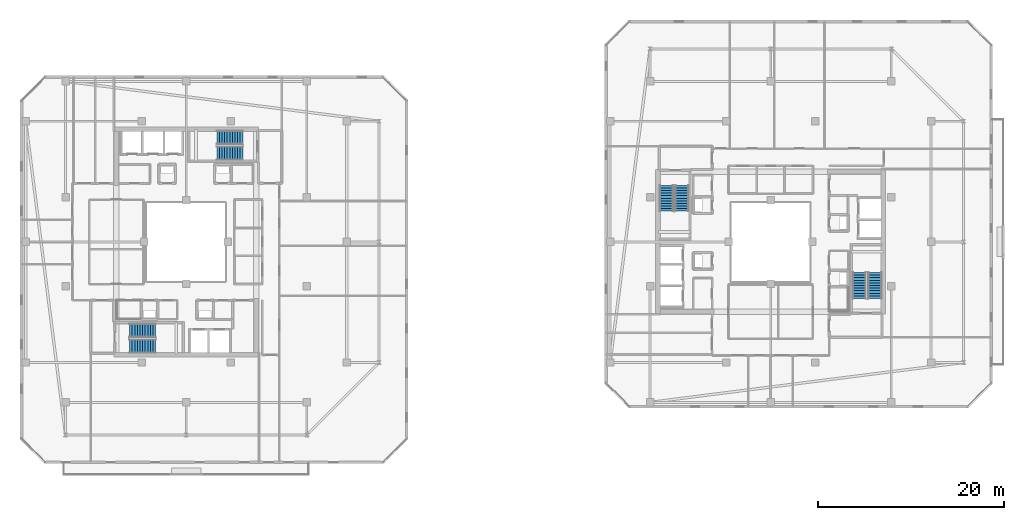
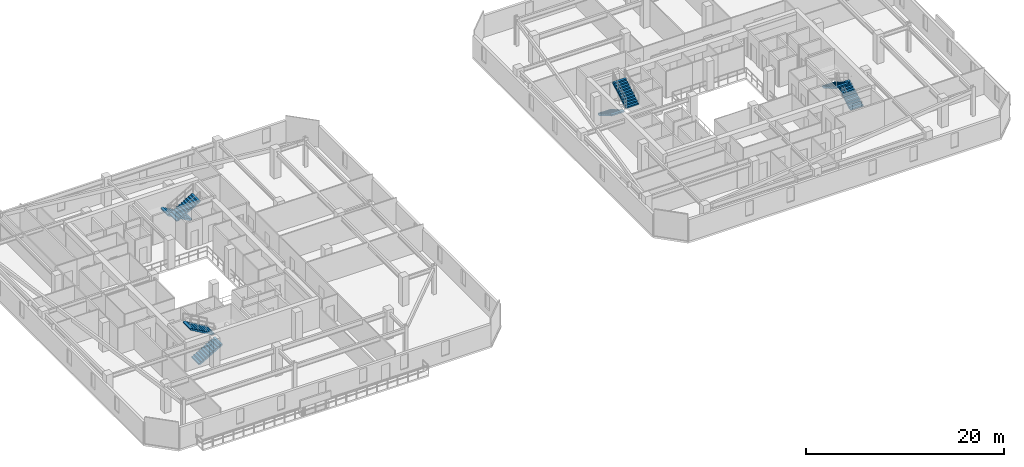
# One storey, part 29 of 35: 8 stair flights, 4 elements without a shape of their own.
"""IFC4 building model written with IfcOpenShell, lengths in metres."""

from ifc_helpers import new_model, si_unit, direction, frame, origin, place, context, subcontext, project, spatial, polyline, outline, extrude, material, type_object, element, aggregate, save


model = new_model("IFC4")

# Units and contexts
model_context = context("Model", 3, precision=1e-05, world=origin(), true_north=direction((0.0, 1.0)))
body_context = subcontext(model_context, "Body", "Model", "MODEL_VIEW")
ifc_project = project(units=[si_unit("LENGTHUNIT", "METRE"), si_unit("AREAUNIT", "SQUARE_METRE"), si_unit("VOLUMEUNIT", "CUBIC_METRE"), si_unit("PLANEANGLEUNIT", "RADIAN"), si_unit("MASSUNIT", "GRAM", prefix="KILO")], contexts=[model_context])

# Site, building, storey
site_placement = place(None, origin())
site = spatial("IfcSite", under=ifc_project, at=site_placement, CompositionType="ELEMENT")
building_placement = place(site_placement, origin())
building = spatial("IfcBuilding", under=site, at=building_placement, Name="Thornwick Lancets Civic Towers", CompositionType="ELEMENT")
storey_placement = place(building_placement, frame((0.0, 0.0, 276.300048828125)))
storey = spatial("IfcBuildingStorey", under=building, at=storey_placement, Name="L74", CompositionType="ELEMENT", Elevation=276.300048828125)

# Stair, stair flights
ifc_material = material(Name="Concrete C40/50", Category="concrete")
stair_type = type_object("IfcStairType", Name="STAIR_DL_3600", PredefinedType="HALF_TURN_STAIR", material=ifc_material)
stair_1_placement = place(storey_placement, origin())
stair_1 = element("IfcStair", 1, at=stair_1_placement, inside=storey, type_object=stair_type, Name="L74 Tower A South Exit Stair ST-A1", PredefinedType="HALF_TURN_STAIR")
stair_flight_type = type_object("IfcStairFlightType", Name="FLIGHT_3600", PredefinedType="STRAIGHT", material=ifc_material)
stair_flight_1_placement = place(storey_placement, frame((19.39990234375, 15.75, 0.0), z_axis=(0.0, 0.0, 1.0), x_axis=(1.0, 0.0, 0.0)))
stair_flight_1 = element("IfcStairFlight", 2, at=stair_flight_1_placement, type_object=stair_flight_type, Name="ST-A1 flight 1", NumberOfRisers=11, NumberOfTreads=10, PredefinedType="STRAIGHT", RiserHeight=0.163636364, TreadLength=0.28, context=body_context, shape_type="SweptSolid", body=[
    extrude(outline(polyline([(0.0, 0.0), (0.0, 0.16357421875), (0.280029296875, 0.16357421875), (0.280029296875, 0.327392578125), (0.56005859375, 0.327392578125), (0.56005859375, 0.490966796875), (0.840087890625, 0.490966796875), (0.840087890625, 0.654541015625), (1.1201171875, 0.654541015625), (1.1201171875, 0.818115234375), (1.39990234375, 0.818115234375), (1.39990234375, 0.98193359375), (1.679931640625, 0.98193359375), (1.679931640625, 1.1455078125), (1.9599609375, 1.1455078125), (1.9599609375, 1.30908203125), (2.239990234375, 1.30908203125), (2.239990234375, 1.47265625), (2.52001953125, 1.47265625), (2.52001953125, 1.636474609375), (2.800048828125, 1.636474609375), (2.800048828125, 1.800048828125), (2.800048828125, 1.462646484375), (0.297119140625, 0.0), (0.0, 0.0)])), frame((0.0, 0.75, 0.0), z_axis=(0.0, -1.0, 0.0), x_axis=(1.0, 0.0, 0.0)), (0.0, 0.0, 1.0), 1.5),
])
stair_flight_2_placement = place(storey_placement, frame((22.199951171875, 17.449951171875, 1.800048828125), z_axis=(0.0, 0.0, 1.0), x_axis=(-1.0, 0.0, 0.0)))
stair_flight_2 = element("IfcStairFlight", 3, at=stair_flight_2_placement, type_object=stair_flight_type, Name="ST-A1 flight 2", NumberOfRisers=11, NumberOfTreads=10, PredefinedType="STRAIGHT", RiserHeight=0.163636364, TreadLength=0.28, context=body_context, shape_type="SweptSolid", body=[
    extrude(outline(polyline([(0.0, 0.0), (0.0, 0.16357421875), (0.280029296875, 0.16357421875), (0.280029296875, 0.327392578125), (0.56005859375, 0.327392578125), (0.56005859375, 0.490966796875), (0.840087890625, 0.490966796875), (0.840087890625, 0.654541015625), (1.1201171875, 0.654541015625), (1.1201171875, 0.818115234375), (1.39990234375, 0.818115234375), (1.39990234375, 0.98193359375), (1.679931640625, 0.98193359375), (1.679931640625, 1.1455078125), (1.9599609375, 1.1455078125), (1.9599609375, 1.30908203125), (2.239990234375, 1.30908203125), (2.239990234375, 1.47265625), (2.52001953125, 1.47265625), (2.52001953125, 1.636474609375), (2.800048828125, 1.636474609375), (2.800048828125, 1.800048828125), (2.800048828125, 1.462646484375), (0.297119140625, 0.0), (0.0, 0.0)])), frame((0.0, 0.75, 0.0), z_axis=(0.0, -1.0, 0.0), x_axis=(1.0, 0.0, 0.0)), (0.0, 0.0, 1.0), 1.5),
])
aggregate(stair_1, [stair_flight_1, stair_flight_2])

stair_2_placement = place(storey_placement, origin())
stair_2 = element("IfcStair", 4, at=stair_2_placement, inside=storey, type_object=stair_type, Name="L74 Tower A North Exit Stair ST-A2", PredefinedType="HALF_TURN_STAIR")
stair_flight_3_placement = place(storey_placement, frame((31.60009765625, 38.25, 0.0), z_axis=(0.0, 0.0, 1.0), x_axis=(-1.0, 0.0, 0.0)))
stair_flight_3 = element("IfcStairFlight", 5, at=stair_flight_3_placement, type_object=stair_flight_type, Name="ST-A2 flight 1", NumberOfRisers=11, NumberOfTreads=10, PredefinedType="STRAIGHT", RiserHeight=0.163636364, TreadLength=0.28, context=body_context, shape_type="SweptSolid", body=[
    extrude(outline(polyline([(0.0, 0.0), (0.0, 0.16357421875), (0.280029296875, 0.16357421875), (0.280029296875, 0.327392578125), (0.56005859375, 0.327392578125), (0.56005859375, 0.490966796875), (0.840087890625, 0.490966796875), (0.840087890625, 0.654541015625), (1.1201171875, 0.654541015625), (1.1201171875, 0.818115234375), (1.39990234375, 0.818115234375), (1.39990234375, 0.98193359375), (1.679931640625, 0.98193359375), (1.679931640625, 1.1455078125), (1.9599609375, 1.1455078125), (1.9599609375, 1.30908203125), (2.239990234375, 1.30908203125), (2.239990234375, 1.47265625), (2.52001953125, 1.47265625), (2.52001953125, 1.636474609375), (2.800048828125, 1.636474609375), (2.800048828125, 1.800048828125), (2.800048828125, 1.462646484375), (0.297119140625, 0.0), (0.0, 0.0)])), frame((0.0, 0.75, 0.0), z_axis=(0.0, -1.0, 0.0), x_axis=(1.0, 0.0, 0.0)), (0.0, 0.0, 1.0), 1.5),
])
stair_flight_4_placement = place(storey_placement, frame((28.800048828125, 36.550048828125, 1.800048828125), z_axis=(0.0, 0.0, 1.0), x_axis=(1.0, 0.0, 0.0)))
stair_flight_4 = element("IfcStairFlight", 6, at=stair_flight_4_placement, type_object=stair_flight_type, Name="ST-A2 flight 2", NumberOfRisers=11, NumberOfTreads=10, PredefinedType="STRAIGHT", RiserHeight=0.163636364, TreadLength=0.28, context=body_context, shape_type="SweptSolid", body=[
    extrude(outline(polyline([(0.0, 0.0), (0.0, 0.16357421875), (0.280029296875, 0.16357421875), (0.280029296875, 0.327392578125), (0.56005859375, 0.327392578125), (0.56005859375, 0.490966796875), (0.840087890625, 0.490966796875), (0.840087890625, 0.654541015625), (1.1201171875, 0.654541015625), (1.1201171875, 0.818115234375), (1.39990234375, 0.818115234375), (1.39990234375, 0.98193359375), (1.679931640625, 0.98193359375), (1.679931640625, 1.1455078125), (1.9599609375, 1.1455078125), (1.9599609375, 1.30908203125), (2.239990234375, 1.30908203125), (2.239990234375, 1.47265625), (2.52001953125, 1.47265625), (2.52001953125, 1.636474609375), (2.800048828125, 1.636474609375), (2.800048828125, 1.800048828125), (2.800048828125, 1.462646484375), (0.297119140625, 0.0), (0.0, 0.0)])), frame((0.0, 0.75, 0.0), z_axis=(0.0, -1.0, 0.0), x_axis=(1.0, 0.0, 0.0)), (0.0, 0.0, 1.0), 1.5),
])
aggregate(stair_2, [stair_flight_3, stair_flight_4])

stair_3_placement = place(storey_placement, origin())
stair_3 = element("IfcStair", 7, at=stair_3_placement, inside=storey, type_object=stair_type, Name="L74 Tower B East Exit Stair ST-B1", PredefinedType="HALF_TURN_STAIR")
stair_flight_5_placement = place(storey_placement, frame((99.75, 20.89990234375, 0.0), z_axis=(0.0, 0.0, 1.0), x_axis=(0.0, 1.0, 0.0)))
stair_flight_5 = element("IfcStairFlight", 8, at=stair_flight_5_placement, type_object=stair_flight_type, Name="ST-B1 flight 1", NumberOfRisers=11, NumberOfTreads=10, PredefinedType="STRAIGHT", RiserHeight=0.163636364, TreadLength=0.28, context=body_context, shape_type="SweptSolid", body=[
    extrude(outline(polyline([(0.0, 0.0), (0.0, 0.16357421875), (0.280029296875, 0.16357421875), (0.280029296875, 0.327392578125), (0.56005859375, 0.327392578125), (0.56005859375, 0.490966796875), (0.840087890625, 0.490966796875), (0.840087890625, 0.654541015625), (1.1201171875, 0.654541015625), (1.1201171875, 0.818115234375), (1.39990234375, 0.818115234375), (1.39990234375, 0.98193359375), (1.679931640625, 0.98193359375), (1.679931640625, 1.1455078125), (1.9599609375, 1.1455078125), (1.9599609375, 1.30908203125), (2.239990234375, 1.30908203125), (2.239990234375, 1.47265625), (2.52001953125, 1.47265625), (2.52001953125, 1.636474609375), (2.800048828125, 1.636474609375), (2.800048828125, 1.800048828125), (2.800048828125, 1.462646484375), (0.297119140625, 0.0), (0.0, 0.0)])), frame((0.0, 0.75, 0.0), z_axis=(0.0, -1.0, 0.0), x_axis=(1.0, 0.0, 0.0)), (0.0, 0.0, 1.0), 1.5),
])
stair_flight_6_placement = place(storey_placement, frame((98.050048828125, 23.699951171875, 1.800048828125), z_axis=(0.0, 0.0, 1.0), x_axis=(0.0, -1.0, 0.0)))
stair_flight_6 = element("IfcStairFlight", 9, at=stair_flight_6_placement, type_object=stair_flight_type, Name="ST-B1 flight 2", NumberOfRisers=11, NumberOfTreads=10, PredefinedType="STRAIGHT", RiserHeight=0.163636364, TreadLength=0.28, context=body_context, shape_type="SweptSolid", body=[
    extrude(outline(polyline([(0.0, 0.0), (0.0, 0.16357421875), (0.280029296875, 0.16357421875), (0.280029296875, 0.327392578125), (0.56005859375, 0.327392578125), (0.56005859375, 0.490966796875), (0.840087890625, 0.490966796875), (0.840087890625, 0.654541015625), (1.1201171875, 0.654541015625), (1.1201171875, 0.818115234375), (1.39990234375, 0.818115234375), (1.39990234375, 0.98193359375), (1.679931640625, 0.98193359375), (1.679931640625, 1.1455078125), (1.9599609375, 1.1455078125), (1.9599609375, 1.30908203125), (2.239990234375, 1.30908203125), (2.239990234375, 1.47265625), (2.52001953125, 1.47265625), (2.52001953125, 1.636474609375), (2.800048828125, 1.636474609375), (2.800048828125, 1.800048828125), (2.800048828125, 1.462646484375), (0.297119140625, 0.0), (0.0, 0.0)])), frame((0.0, 0.75, 0.0), z_axis=(0.0, -1.0, 0.0), x_axis=(1.0, 0.0, 0.0)), (0.0, 0.0, 1.0), 1.5),
])
aggregate(stair_3, [stair_flight_5, stair_flight_6])

stair_4_placement = place(storey_placement, origin())
stair_4 = element("IfcStair", 10, at=stair_4_placement, inside=storey, type_object=stair_type, Name="L74 Tower B West Exit Stair ST-B2", PredefinedType="HALF_TURN_STAIR")
stair_flight_7_placement = place(storey_placement, frame((77.25, 33.10009765625, 0.0), z_axis=(0.0, 0.0, 1.0), x_axis=(0.0, -1.0, 0.0)))
stair_flight_7 = element("IfcStairFlight", 11, at=stair_flight_7_placement, type_object=stair_flight_type, Name="ST-B2 flight 1", NumberOfRisers=11, NumberOfTreads=10, PredefinedType="STRAIGHT", RiserHeight=0.163636364, TreadLength=0.28, context=body_context, shape_type="SweptSolid", body=[
    extrude(outline(polyline([(0.0, 0.0), (0.0, 0.16357421875), (0.280029296875, 0.16357421875), (0.280029296875, 0.327392578125), (0.56005859375, 0.327392578125), (0.56005859375, 0.490966796875), (0.840087890625, 0.490966796875), (0.840087890625, 0.654541015625), (1.1201171875, 0.654541015625), (1.1201171875, 0.818115234375), (1.39990234375, 0.818115234375), (1.39990234375, 0.98193359375), (1.679931640625, 0.98193359375), (1.679931640625, 1.1455078125), (1.9599609375, 1.1455078125), (1.9599609375, 1.30908203125), (2.239990234375, 1.30908203125), (2.239990234375, 1.47265625), (2.52001953125, 1.47265625), (2.52001953125, 1.636474609375), (2.800048828125, 1.636474609375), (2.800048828125, 1.800048828125), (2.800048828125, 1.462646484375), (0.297119140625, 0.0), (0.0, 0.0)])), frame((0.0, 0.75, 0.0), z_axis=(0.0, -1.0, 0.0), x_axis=(1.0, 0.0, 0.0)), (0.0, 0.0, 1.0), 1.5),
])
stair_flight_8_placement = place(storey_placement, frame((78.949951171875, 30.300048828125, 1.800048828125), z_axis=(0.0, 0.0, 1.0), x_axis=(0.0, 1.0, 0.0)))
stair_flight_8 = element("IfcStairFlight", 12, at=stair_flight_8_placement, type_object=stair_flight_type, Name="ST-B2 flight 2", NumberOfRisers=11, NumberOfTreads=10, PredefinedType="STRAIGHT", RiserHeight=0.163636364, TreadLength=0.28, context=body_context, shape_type="SweptSolid", body=[
    extrude(outline(polyline([(0.0, 0.0), (0.0, 0.16357421875), (0.280029296875, 0.16357421875), (0.280029296875, 0.327392578125), (0.56005859375, 0.327392578125), (0.56005859375, 0.490966796875), (0.840087890625, 0.490966796875), (0.840087890625, 0.654541015625), (1.1201171875, 0.654541015625), (1.1201171875, 0.818115234375), (1.39990234375, 0.818115234375), (1.39990234375, 0.98193359375), (1.679931640625, 0.98193359375), (1.679931640625, 1.1455078125), (1.9599609375, 1.1455078125), (1.9599609375, 1.30908203125), (2.239990234375, 1.30908203125), (2.239990234375, 1.47265625), (2.52001953125, 1.47265625), (2.52001953125, 1.636474609375), (2.800048828125, 1.636474609375), (2.800048828125, 1.800048828125), (2.800048828125, 1.462646484375), (0.297119140625, 0.0), (0.0, 0.0)])), frame((0.0, 0.75, 0.0), z_axis=(0.0, -1.0, 0.0), x_axis=(1.0, 0.0, 0.0)), (0.0, 0.0, 1.0), 1.5),
])
aggregate(stair_4, [stair_flight_7, stair_flight_8])

save(model, "model.ifc")
